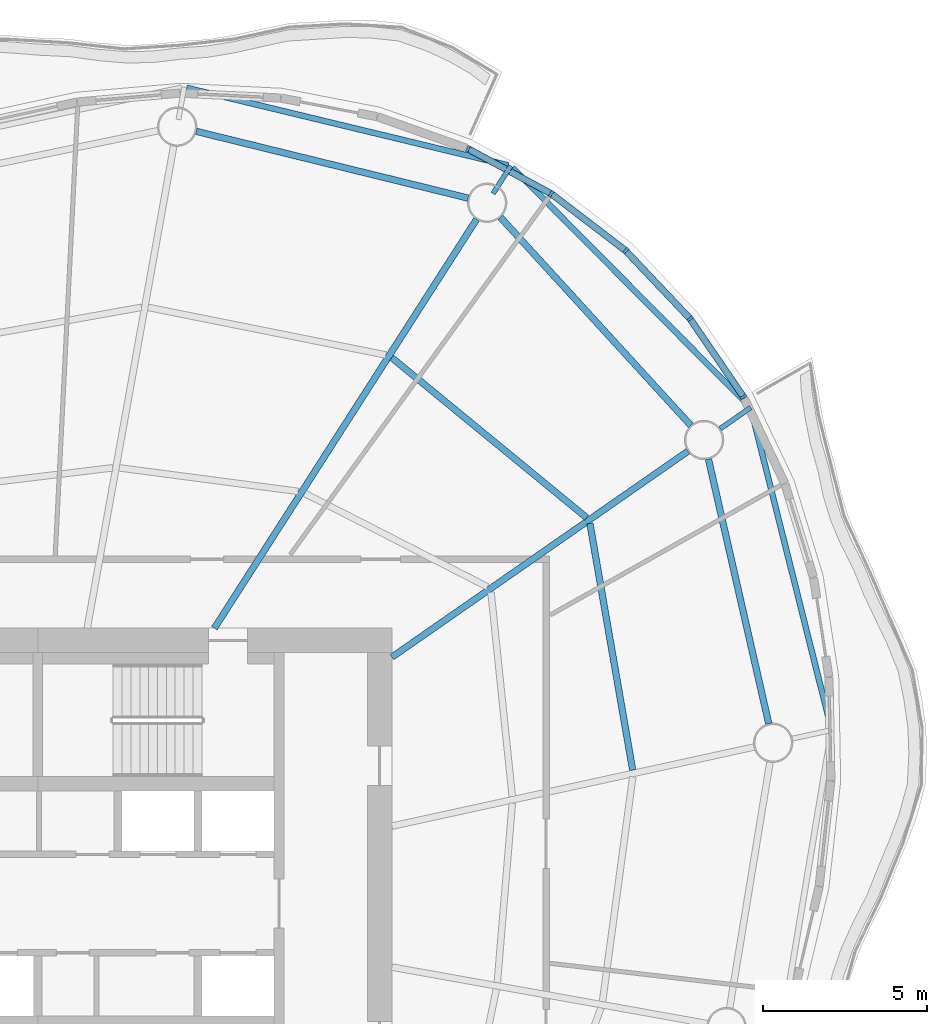
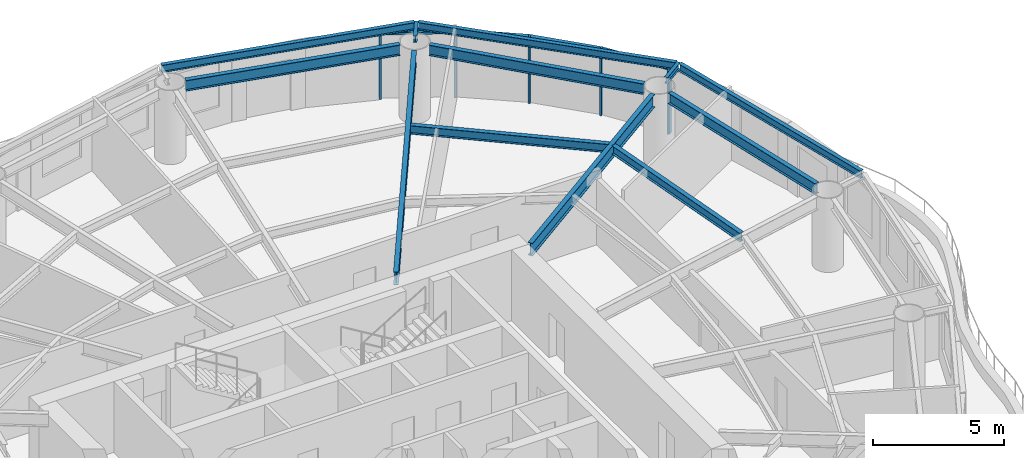
# One storey, part 6 of 14: 12 beams, 9 members, 4 elements without a shape of their own.
"""IFC4 building model written with IfcOpenShell, lengths in metres."""

from ifc_helpers import new_model, si_unit, direction, frame, origin, origin_2d, place, context, subcontext, project, spatial, rectangle, i_section, extrude, material, material_profile, profile_set, type_object, element, aggregate, save


model = new_model("IFC4")

# Units and contexts
model_context = context("Model", 3, precision=1e-05, world=origin(), true_north=direction((0.0, 1.0)))
body_context = subcontext(model_context, "Body", "Model", "MODEL_VIEW")
ifc_project = project(units=[si_unit("LENGTHUNIT", "METRE"), si_unit("AREAUNIT", "SQUARE_METRE"), si_unit("VOLUMEUNIT", "CUBIC_METRE"), si_unit("PLANEANGLEUNIT", "RADIAN"), si_unit("MASSUNIT", "GRAM", prefix="KILO")], contexts=[model_context])

# Site, building, storey
site_placement = place(None, origin())
site = spatial("IfcSite", under=ifc_project, at=site_placement, CompositionType="ELEMENT")
building_placement = place(site_placement, origin())
building = spatial("IfcBuilding", under=site, at=building_placement, Name="Vermilion Reach Broadcast Tower", CompositionType="ELEMENT")
storey_placement = place(building_placement, frame((0.0, 0.0, 224.5)))
storey = spatial("IfcBuildingStorey", under=building, at=storey_placement, Name="L55", CompositionType="ELEMENT", Elevation=224.5)

# Beams
ifc_material_1 = material(Name="Steel S355J2", Category="steel")
ifc_material_profile_1 = material_profile(ifc_material_1, i_section(OverallWidth=0.175048828125, OverallDepth=0.35009765625, WebThickness=0.007080078125, FlangeThickness=0.010986328125, at=origin_2d()), Name="S355J2 HN 350x175x7x11")
ifc_profile_set_1 = profile_set([ifc_material_profile_1], Name="Steel S355J2")
beam_type_1 = type_object("IfcBeamType", Name="EB4 HN 350x175x7x11", PredefinedType="BEAM", material=ifc_profile_set_1)
beam_1_placement = place(storey_placement, frame((8.3466796875, 22.511962890625, 3.27490234375), z_axis=(-0.972153537578, 0.234344830058, 0.0), x_axis=(-0.234344830058, -0.972153537578, 0.0)))
element("IfcBeam", 1, at=beam_1_placement, inside=storey, type_object=beam_type_1, Name="Edge beam EB4-01", PredefinedType="BEAM", context=body_context, shape_type="SweptSolid", body=[
    extrude(i_section(OverallWidth=0.175048828125, OverallDepth=0.35009765625, WebThickness=0.007080078125, FlangeThickness=0.010986328125, at=origin_2d()), origin(), (0.0, 0.0, 1.0), 10.0888671875),
])
beam_2_placement = place(storey_placement, frame((18.18798828125, 5.36376953125, 3.27490234375), z_axis=(-0.243565448554, 0.969884463362, 0.0), x_axis=(-0.969884463362, -0.243565448554, 0.0)))
element("IfcBeam", 2, at=beam_2_placement, inside=storey, type_object=beam_type_1, Name="Edge beam EB4-15", PredefinedType="BEAM", context=body_context, shape_type="SweptSolid", body=[
    extrude(i_section(OverallWidth=0.175048828125, OverallDepth=0.35009765625, WebThickness=0.007080078125, FlangeThickness=0.010986328125, at=origin_2d()), origin(), (0.0, 0.0, 1.0), 9.9833984375),
])
beam_3_placement = place(storey_placement, frame((15.68310546875, 15.178466796875, 3.27490234375), z_axis=(-0.70439257326, 0.70981061047, 0.0), x_axis=(-0.70981061047, -0.70439257326, 0.0)))
element("IfcBeam", 3, at=beam_3_placement, inside=storey, type_object=beam_type_1, Name="Edge beam EB4-16", PredefinedType="BEAM", context=body_context, shape_type="SweptSolid", body=[
    extrude(i_section(OverallWidth=0.175048828125, OverallDepth=0.35009765625, WebThickness=0.007080078125, FlangeThickness=0.010986328125, at=origin_2d()), origin(), (0.0, 0.0, 1.0), 10.228759765625),
])
ifc_material_2 = material(Name="Steel S355J2", Category="steel")
ifc_material_profile_2 = material_profile(ifc_material_2, i_section(OverallWidth=0.199951171875, OverallDepth=0.60009765625, WebThickness=0.010986328125, FlangeThickness=0.01708984375, at=origin_2d()), Name="S355J2 HN 600x200x11x17")
ifc_profile_set_2 = profile_set([ifc_material_profile_2], Name="Steel S355J2")
beam_type_2 = type_object("IfcBeamType", Name="G4 HN 600x200x11x17", PredefinedType="BEAM", material=ifc_profile_set_2)
beam_4_placement = place(storey_placement, frame((-0.613525390625, 8.39990234375, 3.14990234375), z_axis=(0.539796447586, 0.84179557802, 0.0), x_axis=(-0.84179557802, 0.539796447586, 0.0)))
element("IfcBeam", 4, at=beam_4_placement, inside=storey, type_object=beam_type_2, Name="Girder G4-01", PredefinedType="BEAM", context=body_context, shape_type="SweptSolid", body=[
    extrude(i_section(OverallWidth=0.199951171875, OverallDepth=0.60009765625, WebThickness=0.010986328125, FlangeThickness=0.01708984375, at=origin_2d()), origin(), (0.0, 0.0, 1.0), 14.8076171875),
])
beam_5_placement = place(storey_placement, frame((4.800048828125, 7.5146484375, 3.14990234375), z_axis=(0.820848627818, 0.571145804684, 0.0), x_axis=(-0.571145804684, 0.820848627818, 0.0)))
element("IfcBeam", 5, at=beam_5_placement, inside=storey, type_object=beam_type_2, Name="Girder G4-16", PredefinedType="BEAM", context=body_context, shape_type="SweptSolid", body=[
    extrude(i_section(OverallWidth=0.199951171875, OverallDepth=0.60009765625, WebThickness=0.010986328125, FlangeThickness=0.01708984375, at=origin_2d()), origin(), (0.0, 0.0, 1.0), 10.99560546875),
])
ifc_material_3 = material(Name="Steel S355J2", Category="steel")
ifc_material_profile_3 = material_profile(ifc_material_3, i_section(OverallWidth=0.14990234375, OverallDepth=0.300048828125, WebThickness=0.006591796875, FlangeThickness=0.009033203125, at=origin_2d()), Name="S355J2 HN 300x150x6.5x9")
ifc_profile_set_3 = profile_set([ifc_material_profile_3], Name="Steel S355J2")
beam_type_3 = type_object("IfcBeamType", Name="GS4 HN 300x150x6.5x9", PredefinedType="BEAM", material=ifc_profile_set_3)
beam_6_placement = place(storey_placement, frame((7.884033203125, 21.651611328125, 3.300048828125), z_axis=(0.539794777091, 0.841796649213, 0.0), x_axis=(-0.841796649213, 0.539794777091, 0.0)))
element("IfcBeam", 6, at=beam_6_placement, inside=storey, type_object=beam_type_3, Name="Cantilever stub GS4-01", PredefinedType="BEAM", context=body_context, shape_type="SweptSolid", body=[
    extrude(i_section(OverallWidth=0.14990234375, OverallDepth=0.300048828125, WebThickness=0.006591796875, FlangeThickness=0.009033203125, at=origin_2d()), origin(), (0.0, 0.0, 1.0), 1.0),
])
beam_7_placement = place(storey_placement, frame((14.810546875, 14.47998046875, 3.300048828125), z_axis=(0.82083464038, 0.571165906854, 0.0), x_axis=(-0.571165906854, 0.82083464038, 0.0)))
element("IfcBeam", 7, at=beam_7_placement, inside=storey, type_object=beam_type_3, Name="Cantilever stub GS4-16", PredefinedType="BEAM", context=body_context, shape_type="SweptSolid", body=[
    extrude(i_section(OverallWidth=0.14990234375, OverallDepth=0.300048828125, WebThickness=0.006591796875, FlangeThickness=0.009033203125, at=origin_2d()), origin(), (0.0, 0.0, 1.0), 1.12841796875),
])
ifc_material_4 = material(Name="Steel S355J2", Category="steel")
ifc_material_profile_4 = material_profile(ifc_material_4, i_section(OverallWidth=0.199951171875, OverallDepth=0.5, WebThickness=0.010009765625, FlangeThickness=0.01611328125, at=origin_2d()), Name="S355J2 HN 500x200x10x16")
ifc_profile_set_4 = profile_set([ifc_material_profile_4], Name="Steel S355J2")
beam_type_4 = type_object("IfcBeamType", Name="RB4 HN 500x200x10x16", PredefinedType="BEAM", material=ifc_profile_set_4)
beam_8_placement = place(storey_placement, frame((7.120849609375, 21.51318359375, 3.199951171875), z_axis=(-0.971158622271, 0.238434331398, 0.0), x_axis=(-0.238434331398, -0.971158622271, 0.0)))
element("IfcBeam", 8, at=beam_8_placement, inside=storey, type_object=beam_type_4, Name="Ring beam RB4-01", PredefinedType="BEAM", context=body_context, shape_type="SweptSolid", body=[
    extrude(i_section(OverallWidth=0.199951171875, OverallDepth=0.5, WebThickness=0.010009765625, FlangeThickness=0.01611328125, at=origin_2d()), origin(), (0.0, 0.0, 1.0), 8.534423828125),
])
beam_9_placement = place(storey_placement, frame((16.290283203125, 5.486572265625, 3.199951171875), z_axis=(-0.222283068275, 0.974982172944, 0.0), x_axis=(-0.974982172944, -0.222283068275, 0.0)))
element("IfcBeam", 9, at=beam_9_placement, inside=storey, type_object=beam_type_4, Name="Ring beam RB4-15", PredefinedType="BEAM", context=body_context, shape_type="SweptSolid", body=[
    extrude(i_section(OverallWidth=0.199951171875, OverallDepth=0.5, WebThickness=0.010009765625, FlangeThickness=0.01611328125, at=origin_2d()), origin(), (0.0, 0.0, 1.0), 8.272705078125),
])
beam_10_placement = place(storey_placement, frame((13.9130859375, 14.580078125, 3.199951171875), z_axis=(-0.674868141417, 0.737938338684, 0.0), x_axis=(-0.737938338684, -0.674868141417, 0.0)))
element("IfcBeam", 10, at=beam_10_placement, inside=storey, type_object=beam_type_4, Name="Ring beam RB4-16", PredefinedType="BEAM", context=body_context, shape_type="SweptSolid", body=[
    extrude(i_section(OverallWidth=0.199951171875, OverallDepth=0.5, WebThickness=0.010009765625, FlangeThickness=0.01611328125, at=origin_2d()), origin(), (0.0, 0.0, 1.0), 8.601318359375),
])
ifc_material_5 = material(Name="Steel S355J2", Category="steel")
ifc_material_profile_5 = material_profile(ifc_material_5, i_section(OverallWidth=0.199951171875, OverallDepth=0.39990234375, WebThickness=0.008056640625, FlangeThickness=0.012939453125, at=origin_2d()), Name="S355J2 HN 400x200x8x13")
ifc_profile_set_5 = profile_set([ifc_material_profile_5], Name="Steel S355J2")
beam_type_5 = type_object("IfcBeamType", Name="SB4 HN 400x200x8x13", PredefinedType="BEAM", material=ifc_profile_set_5)
beam_11_placement = place(storey_placement, frame((12.141357421875, 4.067626953125, 3.25), z_axis=(-0.170926997669, 0.985283695931, 0.0), x_axis=(-0.985283695931, -0.170926997669, 0.0)))
element("IfcBeam", 11, at=beam_11_placement, inside=storey, type_object=beam_type_5, Name="Secondary beam SB4-15-2", PredefinedType="BEAM", context=body_context, shape_type="SweptSolid", body=[
    extrude(i_section(OverallWidth=0.199951171875, OverallDepth=0.39990234375, WebThickness=0.008056640625, FlangeThickness=0.012939453125, at=origin_2d()), origin(), (0.0, 0.0, 1.0), 7.63720703125),
])
beam_12_placement = place(storey_placement, frame((10.73681640625, 11.76708984375, 3.25), z_axis=(-0.772952000494, 0.6344645025, 0.0), x_axis=(-0.6344645025, -0.772952000494, 0.0)))
element("IfcBeam", 12, at=beam_12_placement, inside=storey, type_object=beam_type_5, Name="Secondary beam SB4-16-2", PredefinedType="BEAM", context=body_context, shape_type="SweptSolid", body=[
    extrude(i_section(OverallWidth=0.199951171875, OverallDepth=0.39990234375, WebThickness=0.008056640625, FlangeThickness=0.012939453125, at=origin_2d()), origin(), (0.0, 0.0, 1.0), 7.689697265625),
])

# Curtain wall, member
ifc_material_6 = material(Name="Low-e laminated clear glass in aluminium frame", Category="aluminium")
curtain_wall_type = type_object("IfcCurtainWallType", Name="Slot curtain wall", PredefinedType="NOTDEFINED", material=ifc_material_6)
placement = place(storey_placement, origin())
curtain_wall_1 = element("IfcCurtainWall", 13, at=placement, inside=storey, type_object=curtain_wall_type, Name="Slot curtain wall L55 46", PredefinedType="NOTDEFINED")
ifc_material_7 = material(Name="Anodised aluminium", Category="aluminium")
ifc_material_profile_6 = material_profile(ifc_material_7, rectangle(XDim=0.199951171875, YDim=0.080078125, at=origin_2d()), Name="Slot mullion 80 x 200")
ifc_profile_set_6 = profile_set([ifc_material_profile_6], Name="Anodised aluminium")
member_type_1 = type_object("IfcMemberType", Name="Slot mullion 80 x 200", PredefinedType="MULLION", material=ifc_profile_set_6)
member_1_placement = place(storey_placement, frame((15.51904296875, 15.451904296875, 0.0), z_axis=(0.0, 0.0, 1.0), x_axis=(-0.866665752934, -0.498889238902, 0.0)))
member_1 = element("IfcMember", 14, at=member_1_placement, type_object=member_type_1, Name="Slot mullion L55 46", PredefinedType="MULLION", context=body_context, shape_type="SweptSolid", body=[
    extrude(rectangle(XDim=0.199951171875, YDim=0.080078125, at=origin_2d()), origin(), (0.0, 0.0, 1.0), 3.10009765625),
])

curtain_wall_2 = element("IfcCurtainWall", 15, at=placement, inside=storey, type_object=curtain_wall_type, Name="Slot curtain wall L55 47", PredefinedType="NOTDEFINED")
member_2_placement = place(storey_placement, frame((13.8916015625, 17.832763671875, 0.0), z_axis=(0.0, 0.0, 1.0), x_axis=(-0.778340657699, -0.627842194004, 0.0)))
member_2 = element("IfcMember", 16, at=member_2_placement, type_object=member_type_1, Name="Slot mullion L55 47", PredefinedType="MULLION", context=body_context, shape_type="SweptSolid", body=[
    extrude(rectangle(XDim=0.199951171875, YDim=0.080078125, at=origin_2d()), origin(), (0.0, 0.0, 1.0), 3.10009765625),
])

curtain_wall_3 = element("IfcCurtainWall", 17, at=placement, inside=storey, type_object=curtain_wall_type, Name="Slot curtain wall L55 00", PredefinedType="NOTDEFINED")
member_3_placement = place(storey_placement, frame((11.92626953125, 19.908935546875, 0.0), z_axis=(0.0, 0.0, 1.0), x_axis=(-0.66913072138, -0.743144721912, 0.0)))
member_3 = element("IfcMember", 18, at=member_3_placement, type_object=member_type_1, Name="Slot mullion L55 00", PredefinedType="MULLION", context=body_context, shape_type="SweptSolid", body=[
    extrude(rectangle(XDim=0.199951171875, YDim=0.080078125, at=origin_2d()), origin(), (0.0, 0.0, 1.0), 3.10009765625),
])

# Curtain wall, members
curtain_wall_4 = element("IfcCurtainWall", 19, at=placement, inside=storey, type_object=curtain_wall_type, Name="Slot curtain wall L55 01", PredefinedType="NOTDEFINED")
member_4_placement = place(storey_placement, frame((9.65576171875, 21.646728515625, 0.0), z_axis=(0.0, 0.0, 1.0), x_axis=(-0.543044078598, -0.839704191189, 0.0)))
member_4 = element("IfcMember", 20, at=member_4_placement, type_object=member_type_1, Name="Slot mullion L55 01", PredefinedType="MULLION", context=body_context, shape_type="SweptSolid", body=[
    extrude(rectangle(XDim=0.199951171875, YDim=0.080078125, at=origin_2d()), origin(), (0.0, 0.0, 1.0), 3.10009765625),
])
member_5_placement = place(storey_placement, frame((7.117919921875, 23.01611328125, 0.0), z_axis=(0.0, 0.0, 1.0), x_axis=(-0.405565004754, -0.914066204888, 0.0)))
member_5 = element("IfcMember", 21, at=member_5_placement, type_object=member_type_1, Name="Slot mullion L55 02", PredefinedType="MULLION", context=body_context, shape_type="SweptSolid", body=[
    extrude(rectangle(XDim=0.199951171875, YDim=0.080078125, at=origin_2d()), origin(), (0.0, 0.0, 1.0), 3.10009765625),
])

# Member
ifc_material_8 = material(Name="Anodised aluminium", Category="aluminium")
ifc_material_profile_7 = material_profile(ifc_material_8, rectangle(XDim=0.199951171875, YDim=0.10009765625, at=origin_2d()), Name="Slot transom 200 x 100")
ifc_profile_set_7 = profile_set([ifc_material_profile_7], Name="Anodised aluminium")
member_type_2 = type_object("IfcMemberType", Name="Slot transom 200 x 100", PredefinedType="USERDEFINED", material=ifc_profile_set_7)
member_6_placement = place(storey_placement, frame((15.496337890625, 15.485107421875, 3.050048828125), z_axis=(-0.564368577333, 0.825522930584, 0.0), x_axis=(-0.825522930584, -0.564368577333, 0.0)))
member_6 = element("IfcMember", 22, at=member_6_placement, type_object=member_type_2, Name="Slot transom L55 46.1", ObjectType="TRANSOM", PredefinedType="USERDEFINED", context=body_context, shape_type="SweptSolid", body=[
    extrude(rectangle(XDim=0.199951171875, YDim=0.10009765625, at=origin_2d()), origin(), (0.0, 0.0, 1.0), 2.8037109375),
])

aggregate(curtain_wall_1, [member_1, member_6])

member_7_placement = place(storey_placement, frame((13.864013671875, 17.86181640625, 3.050048828125), z_axis=(-0.687425372124, 0.726255022537, 0.0), x_axis=(-0.726255022537, -0.687425372124, 0.0)))
member_7 = element("IfcMember", 23, at=member_7_placement, type_object=member_type_2, Name="Slot transom L55 47.1", ObjectType="TRANSOM", PredefinedType="USERDEFINED", context=body_context, shape_type="SweptSolid", body=[
    extrude(rectangle(XDim=0.199951171875, YDim=0.10009765625, at=origin_2d()), origin(), (0.0, 0.0, 1.0), 2.779052734375),
])

aggregate(curtain_wall_2, [member_2, member_7])

member_8_placement = place(storey_placement, frame((11.89453125, 19.933349609375, 3.050048828125), z_axis=(-0.794143342988, 0.607730491902, 0.0), x_axis=(-0.607730491902, -0.794143342988, 0.0)))
member_8 = element("IfcMember", 24, at=member_8_placement, type_object=member_type_2, Name="Slot transom L55 00.1", ObjectType="TRANSOM", PredefinedType="USERDEFINED", context=body_context, shape_type="SweptSolid", body=[
    extrude(rectangle(XDim=0.199951171875, YDim=0.10009765625, at=origin_2d()), origin(), (0.0, 0.0, 1.0), 2.779052734375),
])

aggregate(curtain_wall_3, [member_3, member_8])

member_9_placement = place(storey_placement, frame((9.62060546875, 21.66552734375, 3.050048828125), z_axis=(-0.879986932202, 0.474997893841, 0.0), x_axis=(-0.474997893841, -0.879986932202, 0.0)))
member_9 = element("IfcMember", 25, at=member_9_placement, type_object=member_type_2, Name="Slot transom L55 01.1", ObjectType="TRANSOM", PredefinedType="USERDEFINED", context=body_context, shape_type="SweptSolid", body=[
    extrude(rectangle(XDim=0.199951171875, YDim=0.10009765625, at=origin_2d()), origin(), (0.0, 0.0, 1.0), 2.8037109375),
])

aggregate(curtain_wall_4, [member_4, member_5, member_9])

save(model, "model.ifc")
